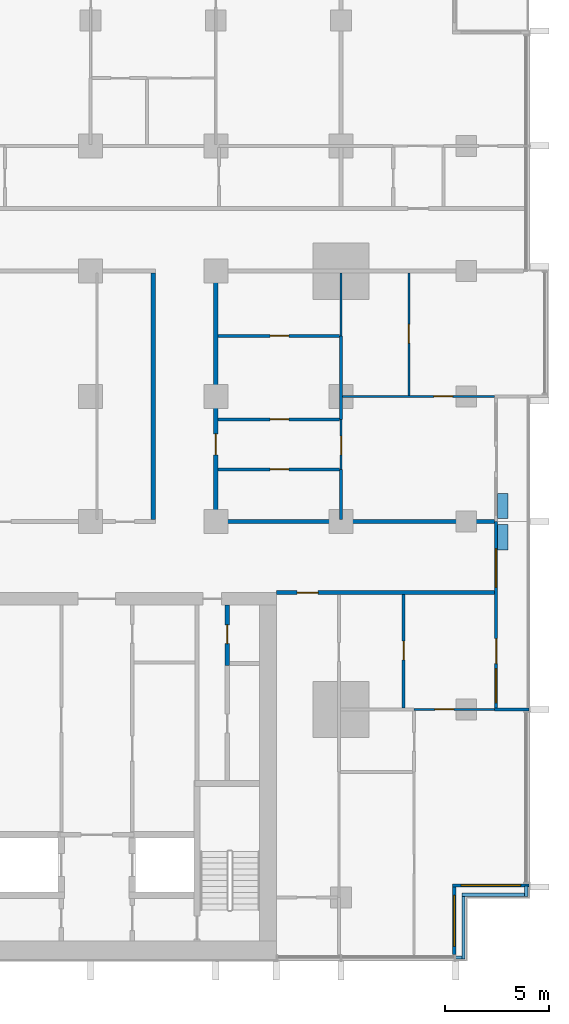
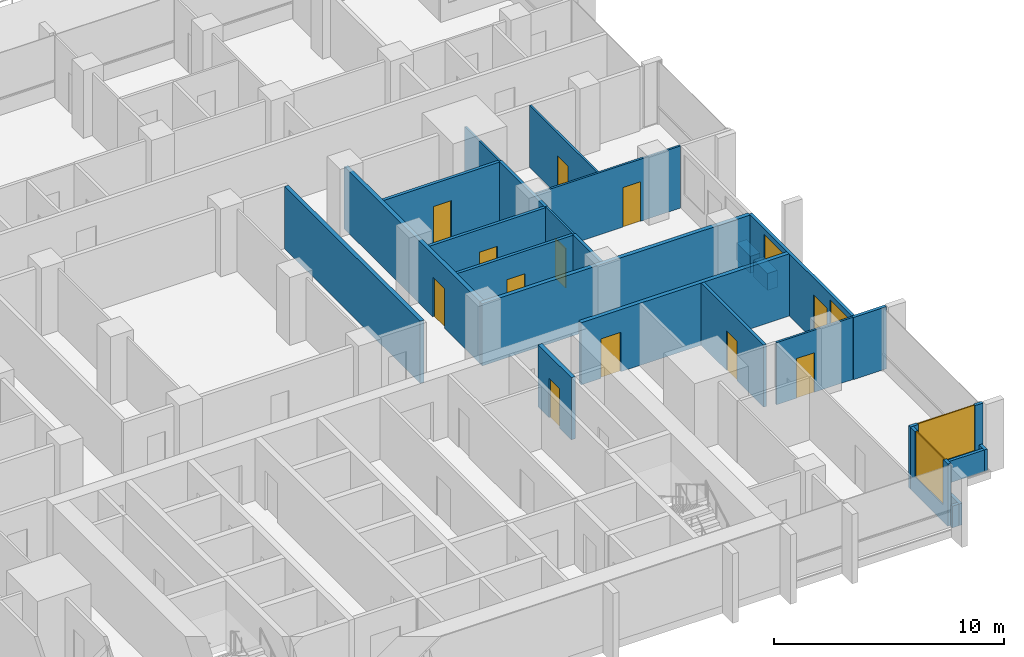
# One storey, part 10 of 19: 26 walls, 12 doors, 4 windows, 16 openings.
"""IFC4 building model written with IfcOpenShell, lengths in metres."""

from ifc_helpers import new_model, si_unit, direction, frame, frame_2d, origin, place, context, subcontext, project, spatial, rectangle, extrude, material, layer, layer_set, type_object, element, fill, save


model = new_model("IFC4")

# Units and contexts
model_context = context("Model", 3, precision=1e-05, world=origin(), true_north=direction((0.0, 1.0)))
body_context = subcontext(model_context, "Body", "Model", "MODEL_VIEW")
ifc_project = project(units=[si_unit("LENGTHUNIT", "METRE"), si_unit("AREAUNIT", "SQUARE_METRE"), si_unit("VOLUMEUNIT", "CUBIC_METRE"), si_unit("PLANEANGLEUNIT", "RADIAN"), si_unit("MASSUNIT", "GRAM", prefix="KILO")], contexts=[model_context])

# Site, building, storey
site_placement = place(None, origin())
site = spatial("IfcSite", under=ifc_project, at=site_placement, CompositionType="ELEMENT")
building_placement = place(site_placement, origin())
building = spatial("IfcBuilding", under=site, at=building_placement, Name="Finial Court Residences", CompositionType="ELEMENT")
storey_placement = place(building_placement, frame((0.0, 0.0, 81.10009765625)))
storey = spatial("IfcBuildingStorey", under=building, at=storey_placement, Name="L19", CompositionType="ELEMENT", Elevation=81.10009765625)

# Wall, opening, door
ifc_material_1 = material(Name="Gypsum board")
ifc_layer_1 = layer(ifc_material_1, 0.02490234375)
ifc_material_2 = material(Name="Acoustic mineral wool in double frame")
ifc_layer_2 = layer(ifc_material_2, 0.14990234375)
ifc_layer_3 = layer(ifc_material_1, 0.02490234375)
ifc_layer_set_1 = layer_set([ifc_layer_1, ifc_layer_2, ifc_layer_3], Name="Corridor wall 200, 1 hour")
wall_type_1 = type_object("IfcWallType", Name="Corridor wall 200, 1 hour", PredefinedType="PARTITIONING", material=ifc_layer_set_1)
wall_1_placement = place(storey_placement, frame((13.39990234375, -7.89990234375, 0.0), z_axis=(0.0, 0.0, 1.0), x_axis=(1.0, 0.0, 0.0)))
wall_1 = element("IfcWall", 1, at=wall_1_placement, inside=storey, type_object=wall_type_1, Name="Partition L19-010", PredefinedType="PARTITIONING", context=body_context, shape_type="SweptSolid", body=[
    extrude(rectangle(XDim=10.4501953125, YDim=0.199951171875, at=frame_2d((5.22509765625, 0.0))), origin(), (0.0, 0.0, 1.0), 3.2998046875),
])
opening_1_placement = place(wall_1_placement, frame((1.0, 0.0, 0.0)))
opening_1 = element("IfcOpeningElement", 2, at=opening_1_placement, cuts=wall_1, Name="Opening L19-D006", PredefinedType="OPENING", context=body_context, shape_type="SweptSolid", body=[
    extrude(rectangle(XDim=1.0, YDim=2.10009765625, at=frame_2d((0.5, 1.050048828125))), frame((0.0, 0.10986328125, 0.0), z_axis=(0.0, -1.0, 0.0), x_axis=(1.0, 0.0, 0.0)), (0.0, 0.0, 1.0), 0.219970703125),
])
ifc_material_3 = material(Name="Timber door leaf in hollow metal frame", Category="wood")
door_type_1 = type_object("IfcDoorType", Name="Fire door set 1000 x 2100, 30 minutes", OperationType="SINGLE_SWING_LEFT", PredefinedType="DOOR", material=ifc_material_3)
door_1_placement = place(opening_1_placement, origin())
door_1 = element("IfcDoor", 3, at=door_1_placement, inside=storey, type_object=door_type_1, Name="Door L19-D006", OperationType="SINGLE_SWING_LEFT", OverallHeight=2.10009765625, OverallWidth=1.0, PredefinedType="DOOR", context=body_context, shape_type="SweptSolid", body=[
    extrude(rectangle(XDim=1.0, YDim=2.10009765625, at=frame_2d((0.5, 1.050048828125))), frame((0.0, 0.02490234375, 0.0), z_axis=(0.0, -1.0, 0.0), x_axis=(1.0, 0.0, 0.0)), (0.0, 0.0, 1.0), 0.050048828125),
])
fill(opening_1, door_1)

# Walls
wall_2_placement = place(storey_placement, frame((10.39990234375, -4.5, 0.0), z_axis=(0.0, 0.0, 1.0), x_axis=(1.0, 0.0, 0.0)))
element("IfcWall", 4, at=wall_2_placement, inside=storey, type_object=wall_type_1, Name="Partition L19-013", PredefinedType="PARTITIONING", context=body_context, shape_type="SweptSolid", body=[
    extrude(rectangle(XDim=13.4501953125, YDim=0.199951171875, at=frame_2d((6.72509765625, 0.0))), origin(), (0.0, 0.0, 1.0), 3.2998046875),
])
wall_3_placement = place(storey_placement, frame((7.5, -4.39990234375, 0.0), z_axis=(0.0, 0.0, 1.0), x_axis=(0.0, 1.0, 0.0)))
element("IfcWall", 5, at=wall_3_placement, inside=storey, type_object=wall_type_1, Name="Partition L19-068", PredefinedType="PARTITIONING", context=body_context, shape_type="SweptSolid", body=[
    extrude(rectangle(XDim=11.7998046875, YDim=0.199951171875, at=frame_2d((5.89990234375, 0.0))), origin(), (0.0, 0.0, 1.0), 3.2998046875),
])

# Wall, opening, door
wall_4_placement = place(storey_placement, frame((10.5, -4.39990234375, 0.0), z_axis=(0.0, 0.0, 1.0), x_axis=(0.0, 1.0, 0.0)))
wall_4 = element("IfcWall", 6, at=wall_4_placement, inside=storey, type_object=wall_type_1, Name="Partition L19-069", PredefinedType="PARTITIONING", context=body_context, shape_type="SweptSolid", body=[
    extrude(rectangle(XDim=11.7998046875, YDim=0.199951171875, at=frame_2d((5.89990234375, 0.0))), origin(), (0.0, 0.0, 1.0), 3.2998046875),
])
opening_2_placement = place(wall_4_placement, frame((3.10009765625, 0.0, 0.0)))
opening_2 = element("IfcOpeningElement", 7, at=opening_2_placement, cuts=wall_4, Name="Opening L19-D044", PredefinedType="OPENING", context=body_context, shape_type="SweptSolid", body=[
    extrude(rectangle(XDim=1.0, YDim=2.10009765625, at=frame_2d((0.5, 1.050048828125))), frame((0.0, 0.10986328125, 0.0), z_axis=(0.0, -1.0, 0.0), x_axis=(1.0, 0.0, 0.0)), (0.0, 0.0, 1.0), 0.219970703125),
])
door_2_placement = place(opening_2_placement, origin())
door_2 = element("IfcDoor", 8, at=door_2_placement, inside=storey, type_object=door_type_1, Name="Door L19-D044", OperationType="SINGLE_SWING_LEFT", OverallHeight=2.10009765625, OverallWidth=1.0, PredefinedType="DOOR", context=body_context, shape_type="SweptSolid", body=[
    extrude(rectangle(XDim=1.0, YDim=2.10009765625, at=frame_2d((0.5, 1.050048828125))), frame((0.0, 0.02490234375, 0.0), z_axis=(0.0, -1.0, 0.0), x_axis=(1.0, 0.0, 0.0)), (0.0, 0.0, 1.0), 0.050048828125),
])
fill(opening_2, door_2)

ifc_layer_4 = layer(ifc_material_1, 0.012451171875)
ifc_material_4 = material(Name="Mineral wool in light-gauge frame")
ifc_layer_5 = layer(ifc_material_4, 0.074951171875)
ifc_layer_6 = layer(ifc_material_1, 0.012451171875)
ifc_layer_set_2 = layer_set([ifc_layer_4, ifc_layer_5, ifc_layer_6], Name="Gypsum board partition 100")
wall_type_2 = type_object("IfcWallType", Name="Gypsum board partition 100", PredefinedType="PARTITIONING", material=ifc_layer_set_2)
wall_5_placement = place(storey_placement, frame((20.0, -13.5, 0.0), z_axis=(0.0, 0.0, 1.0), x_axis=(1.0, 0.0, 0.0)))
wall_5 = element("IfcWall", 9, at=wall_5_placement, inside=storey, type_object=wall_type_2, Name="Partition L19-006", PredefinedType="PARTITIONING", context=body_context, shape_type="SweptSolid", body=[
    extrude(rectangle(XDim=3.85009765625, YDim=0.10009765625, at=frame_2d((1.925048828125, 0.0))), origin(), (0.0, 0.0, 1.0), 3.2998046875),
])
opening_3_placement = place(wall_5_placement, frame((1.0, 0.0, 0.0)))
opening_3 = element("IfcOpeningElement", 10, at=opening_3_placement, cuts=wall_5, Name="Opening L19-D004", PredefinedType="OPENING", context=body_context, shape_type="SweptSolid", body=[
    extrude(rectangle(XDim=0.89990234375, YDim=2.10009765625, at=frame_2d((0.449951171875, 1.050048828125))), frame((0.0, 0.06005859375, 0.0), z_axis=(0.0, -1.0, 0.0), x_axis=(1.0, 0.0, 0.0)), (0.0, 0.0, 1.0), 0.1201171875),
])
ifc_material_5 = material(Name="Timber door leaf in timber frame", Category="wood")
door_type_2 = type_object("IfcDoorType", Name="Door set 900 x 2100", OperationType="SINGLE_SWING_LEFT", PredefinedType="DOOR", material=ifc_material_5)
door_3_placement = place(opening_3_placement, origin())
door_3 = element("IfcDoor", 11, at=door_3_placement, inside=storey, type_object=door_type_2, Name="Door L19-D004", OperationType="SINGLE_SWING_LEFT", OverallHeight=2.10009765625, OverallWidth=0.89990234375, PredefinedType="DOOR", context=body_context, shape_type="SweptSolid", body=[
    extrude(rectangle(XDim=0.89990234375, YDim=2.10009765625, at=frame_2d((0.449951171875, 1.050048828125))), frame((0.0, 0.02490234375, 0.0), z_axis=(0.0, -1.0, 0.0), x_axis=(1.0, 0.0, 0.0)), (0.0, 0.0, 1.0), 0.050048828125),
])
fill(opening_3, door_3)

wall_6_placement = place(storey_placement, frame((16.574951171875, 1.5, 0.0), z_axis=(0.0, 0.0, 1.0), x_axis=(1.0, 0.0, 0.0)))
wall_6 = element("IfcWall", 12, at=wall_6_placement, inside=storey, type_object=wall_type_2, Name="Partition L19-018", PredefinedType="PARTITIONING", context=body_context, shape_type="SweptSolid", body=[
    extrude(rectangle(XDim=7.275146484375, YDim=0.10009765625, at=frame_2d((3.6376953125, 0.0))), origin(), (0.0, 0.0, 1.0), 3.2998046875),
])
opening_4_placement = place(wall_6_placement, frame((4.375, 0.0, 0.0)))
opening_4 = element("IfcOpeningElement", 13, at=opening_4_placement, cuts=wall_6, Name="Opening L19-D014", PredefinedType="OPENING", context=body_context, shape_type="SweptSolid", body=[
    extrude(rectangle(XDim=0.89990234375, YDim=2.10009765625, at=frame_2d((0.449951171875, 1.050048828125))), frame((0.0, 0.06005859375, 0.0), z_axis=(0.0, -1.0, 0.0), x_axis=(1.0, 0.0, 0.0)), (0.0, 0.0, 1.0), 0.1201171875),
])
door_4_placement = place(opening_4_placement, origin())
door_4 = element("IfcDoor", 14, at=door_4_placement, inside=storey, type_object=door_type_2, Name="Door L19-D014", OperationType="SINGLE_SWING_LEFT", OverallHeight=2.10009765625, OverallWidth=0.89990234375, PredefinedType="DOOR", context=body_context, shape_type="SweptSolid", body=[
    extrude(rectangle(XDim=0.89990234375, YDim=2.10009765625, at=frame_2d((0.449951171875, 1.050048828125))), frame((0.0, 0.02490234375, 0.0), z_axis=(0.0, -1.0, 0.0), x_axis=(1.0, 0.0, 0.0)), (0.0, 0.0, 1.0), 0.050048828125),
])
fill(opening_4, door_4)

wall_7_placement = place(storey_placement, frame((16.5, -2.0, 0.0), z_axis=(0.0, 0.0, 1.0), x_axis=(0.0, 1.0, 0.0)))
wall_7 = element("IfcWall", 15, at=wall_7_placement, inside=storey, type_object=wall_type_2, Name="Partition L19-075", PredefinedType="PARTITIONING", context=body_context, shape_type="SweptSolid", body=[
    extrude(rectangle(XDim=2.39990234375, YDim=0.10009765625, at=frame_2d((1.199951171875, 0.0))), origin(), (0.0, 0.0, 1.0), 3.2998046875),
])
opening_5_placement = place(wall_7_placement, frame((0.699951171875, 0.0, 0.0)))
opening_5 = element("IfcOpeningElement", 16, at=opening_5_placement, cuts=wall_7, Name="Opening L19-D048", PredefinedType="OPENING", context=body_context, shape_type="SweptSolid", body=[
    extrude(rectangle(XDim=0.89990234375, YDim=2.10009765625, at=frame_2d((0.449951171875, 1.050048828125))), frame((0.0, 0.06005859375, 0.0), z_axis=(0.0, -1.0, 0.0), x_axis=(1.0, 0.0, 0.0)), (0.0, 0.0, 1.0), 0.1201171875),
])
door_5_placement = place(opening_5_placement, origin())
door_5 = element("IfcDoor", 17, at=door_5_placement, inside=storey, type_object=door_type_2, Name="Door L19-D048", OperationType="SINGLE_SWING_RIGHT", OverallHeight=2.10009765625, OverallWidth=0.89990234375, PredefinedType="DOOR", context=body_context, shape_type="SweptSolid", body=[
    extrude(rectangle(XDim=0.89990234375, YDim=2.10009765625, at=frame_2d((0.449951171875, 1.050048828125))), frame((0.0, 0.02490234375, 0.0), z_axis=(0.0, -1.0, 0.0), x_axis=(1.0, 0.0, 0.0)), (0.0, 0.0, 1.0), 0.050048828125),
])
fill(opening_5, door_5)

# Wall
wall_8_placement = place(storey_placement, frame((16.5, 4.39990234375, 0.0), z_axis=(0.0, 0.0, 1.0), x_axis=(0.0, 1.0, 0.0)))
element("IfcWall", 18, at=wall_8_placement, inside=storey, type_object=wall_type_2, Name="Partition L19-076", PredefinedType="PARTITIONING", context=body_context, shape_type="SweptSolid", body=[
    extrude(rectangle(XDim=3.0, YDim=0.10009765625, at=frame_2d((1.5, 0.0))), origin(), (0.0, 0.0, 1.0), 3.2998046875),
])

# Wall, opening, door
wall_9_placement = place(storey_placement, frame((19.75, 1.550048828125, 0.0), z_axis=(0.0, 0.0, 1.0), x_axis=(0.0, 1.0, 0.0)))
wall_9 = element("IfcWall", 19, at=wall_9_placement, inside=storey, type_object=wall_type_2, Name="Partition L19-083", PredefinedType="PARTITIONING", context=body_context, shape_type="SweptSolid", body=[
    extrude(rectangle(XDim=5.849853515625, YDim=0.10009765625, at=frame_2d((2.9248046875, 0.0))), origin(), (0.0, 0.0, 1.0), 3.2998046875),
])
opening_6_placement = place(wall_9_placement, frame((2.5, 0.0, 0.0)))
opening_6 = element("IfcOpeningElement", 20, at=opening_6_placement, cuts=wall_9, Name="Opening L19-D051", PredefinedType="OPENING", context=body_context, shape_type="SweptSolid", body=[
    extrude(rectangle(XDim=0.89990234375, YDim=2.10009765625, at=frame_2d((0.449951171875, 1.050048828125))), frame((0.0, 0.06005859375, 0.0), z_axis=(0.0, -1.0, 0.0), x_axis=(1.0, 0.0, 0.0)), (0.0, 0.0, 1.0), 0.1201171875),
])
door_6_placement = place(opening_6_placement, origin())
door_6 = element("IfcDoor", 21, at=door_6_placement, inside=storey, type_object=door_type_2, Name="Door L19-D051", OperationType="SINGLE_SWING_RIGHT", OverallHeight=2.10009765625, OverallWidth=0.89990234375, PredefinedType="DOOR", context=body_context, shape_type="SweptSolid", body=[
    extrude(rectangle(XDim=0.89990234375, YDim=2.10009765625, at=frame_2d((0.449951171875, 1.050048828125))), frame((0.0, 0.02490234375, 0.0), z_axis=(0.0, -1.0, 0.0), x_axis=(1.0, 0.0, 0.0)), (0.0, 0.0, 1.0), 0.050048828125),
])
fill(opening_6, door_6)

ifc_material_6 = material(Name="Moisture-resistant gypsum board")
ifc_layer_7 = layer(ifc_material_6, 0.012451171875)
ifc_layer_8 = layer(ifc_material_4, 0.125)
ifc_layer_9 = layer(ifc_material_6, 0.012451171875)
ifc_layer_set_3 = layer_set([ifc_layer_7, ifc_layer_8, ifc_layer_9], Name="Gypsum board wet-area partition 150")
wall_type_3 = type_object("IfcWallType", Name="Gypsum board wet-area partition 150", PredefinedType="PARTITIONING", material=ifc_layer_set_3)
wall_10_placement = place(storey_placement, frame((10.60009765625, -2.0, 0.0), z_axis=(0.0, 0.0, 1.0), x_axis=(1.0, 0.0, 0.0)))
wall_10 = element("IfcWall", 22, at=wall_10_placement, inside=storey, type_object=wall_type_3, Name="Partition L19-015", PredefinedType="PARTITIONING", context=body_context, shape_type="SweptSolid", body=[
    extrude(rectangle(XDim=5.824951171875, YDim=0.14990234375, at=frame_2d((2.91259765625, 0.0))), origin(), (0.0, 0.0, 1.0), 3.2998046875),
])
opening_7_placement = place(wall_10_placement, frame((2.5, 0.0, 0.0)))
opening_7 = element("IfcOpeningElement", 23, at=opening_7_placement, cuts=wall_10, Name="Opening L19-D011", PredefinedType="OPENING", context=body_context, shape_type="SweptSolid", body=[
    extrude(rectangle(XDim=0.89990234375, YDim=2.10009765625, at=frame_2d((0.449951171875, 1.050048828125))), frame((0.0, 0.0849609375, 0.0), z_axis=(0.0, -1.0, 0.0), x_axis=(1.0, 0.0, 0.0)), (0.0, 0.0, 1.0), 0.169921875),
])
door_7_placement = place(opening_7_placement, origin())
door_7 = element("IfcDoor", 24, at=door_7_placement, inside=storey, type_object=door_type_2, Name="Door L19-D011", OperationType="SINGLE_SWING_LEFT", OverallHeight=2.10009765625, OverallWidth=0.89990234375, PredefinedType="DOOR", context=body_context, shape_type="SweptSolid", body=[
    extrude(rectangle(XDim=0.89990234375, YDim=2.10009765625, at=frame_2d((0.449951171875, 1.050048828125))), frame((0.0, 0.02490234375, 0.0), z_axis=(0.0, -1.0, 0.0), x_axis=(1.0, 0.0, 0.0)), (0.0, 0.0, 1.0), 0.050048828125),
])
fill(opening_7, door_7)

wall_11_placement = place(storey_placement, frame((10.60009765625, 0.39990234375, 0.0), z_axis=(0.0, 0.0, 1.0), x_axis=(1.0, 0.0, 0.0)))
wall_11 = element("IfcWall", 25, at=wall_11_placement, inside=storey, type_object=wall_type_3, Name="Partition L19-016", PredefinedType="PARTITIONING", context=body_context, shape_type="SweptSolid", body=[
    extrude(rectangle(XDim=5.824951171875, YDim=0.14990234375, at=frame_2d((2.91259765625, 0.0))), origin(), (0.0, 0.0, 1.0), 3.2998046875),
])
opening_8_placement = place(wall_11_placement, frame((2.5, 0.0, 0.0)))
opening_8 = element("IfcOpeningElement", 26, at=opening_8_placement, cuts=wall_11, Name="Opening L19-D012", PredefinedType="OPENING", context=body_context, shape_type="SweptSolid", body=[
    extrude(rectangle(XDim=0.89990234375, YDim=2.10009765625, at=frame_2d((0.449951171875, 1.050048828125))), frame((0.0, 0.0849609375, 0.0), z_axis=(0.0, -1.0, 0.0), x_axis=(1.0, 0.0, 0.0)), (0.0, 0.0, 1.0), 0.169921875),
])
door_8_placement = place(opening_8_placement, origin())
door_8 = element("IfcDoor", 27, at=door_8_placement, inside=storey, type_object=door_type_2, Name="Door L19-D012", OperationType="SINGLE_SWING_LEFT", OverallHeight=2.10009765625, OverallWidth=0.89990234375, PredefinedType="DOOR", context=body_context, shape_type="SweptSolid", body=[
    extrude(rectangle(XDim=0.89990234375, YDim=2.10009765625, at=frame_2d((0.449951171875, 1.050048828125))), frame((0.0, 0.02490234375, 0.0), z_axis=(0.0, -1.0, 0.0), x_axis=(1.0, 0.0, 0.0)), (0.0, 0.0, 1.0), 0.050048828125),
])
fill(opening_8, door_8)

wall_12_placement = place(storey_placement, frame((10.60009765625, 4.39990234375, 0.0), z_axis=(0.0, 0.0, 1.0), x_axis=(1.0, 0.0, 0.0)))
wall_12 = element("IfcWall", 28, at=wall_12_placement, inside=storey, type_object=wall_type_3, Name="Partition L19-021", PredefinedType="PARTITIONING", context=body_context, shape_type="SweptSolid", body=[
    extrude(rectangle(XDim=5.824951171875, YDim=0.14990234375, at=frame_2d((2.91259765625, 0.0))), origin(), (0.0, 0.0, 1.0), 3.2998046875),
])
opening_9_placement = place(wall_12_placement, frame((2.5, 0.0, 0.0)))
opening_9 = element("IfcOpeningElement", 29, at=opening_9_placement, cuts=wall_12, Name="Opening L19-D017", PredefinedType="OPENING", context=body_context, shape_type="SweptSolid", body=[
    extrude(rectangle(XDim=0.89990234375, YDim=2.10009765625, at=frame_2d((0.449951171875, 1.050048828125))), frame((0.0, 0.0849609375, 0.0), z_axis=(0.0, -1.0, 0.0), x_axis=(1.0, 0.0, 0.0)), (0.0, 0.0, 1.0), 0.169921875),
])
door_9_placement = place(opening_9_placement, origin())
door_9 = element("IfcDoor", 30, at=door_9_placement, inside=storey, type_object=door_type_2, Name="Door L19-D017", OperationType="SINGLE_SWING_RIGHT", OverallHeight=2.10009765625, OverallWidth=0.89990234375, PredefinedType="DOOR", context=body_context, shape_type="SweptSolid", body=[
    extrude(rectangle(XDim=0.89990234375, YDim=2.10009765625, at=frame_2d((0.449951171875, 1.050048828125))), frame((0.0, 0.02490234375, 0.0), z_axis=(0.0, -1.0, 0.0), x_axis=(1.0, 0.0, 0.0)), (0.0, 0.0, 1.0), 0.050048828125),
])
fill(opening_9, door_9)

# Walls
wall_13_placement = place(storey_placement, frame((16.5, -4.39990234375, 0.0), z_axis=(0.0, 0.0, 1.0), x_axis=(0.0, 1.0, 0.0)))
element("IfcWall", 31, at=wall_13_placement, inside=storey, type_object=wall_type_3, Name="Partition L19-079", PredefinedType="PARTITIONING", context=body_context, shape_type="SweptSolid", body=[
    extrude(rectangle(XDim=2.39990234375, YDim=0.14990234375, at=frame_2d((1.199951171875, 0.0))), origin(), (0.0, 0.0, 1.0), 3.2998046875),
])
wall_14_placement = place(storey_placement, frame((16.5, 0.39990234375, 0.0), z_axis=(0.0, 0.0, 1.0), x_axis=(0.0, 1.0, 0.0)))
element("IfcWall", 32, at=wall_14_placement, inside=storey, type_object=wall_type_3, Name="Partition L19-080", PredefinedType="PARTITIONING", context=body_context, shape_type="SweptSolid", body=[
    extrude(rectangle(XDim=4.0, YDim=0.14990234375, at=frame_2d((2.0, 0.0))), origin(), (0.0, 0.0, 1.0), 3.2998046875),
])

# Wall, opening, door
wall_15_placement = place(storey_placement, frame((19.5, -13.425048828125, 0.0), z_axis=(0.0, 0.0, 1.0), x_axis=(0.0, 1.0, 0.0)))
wall_15 = element("IfcWall", 33, at=wall_15_placement, inside=storey, type_object=wall_type_3, Name="Partition L19-082", PredefinedType="PARTITIONING", context=body_context, shape_type="SweptSolid", body=[
    extrude(rectangle(XDim=5.425048828125, YDim=0.14990234375, at=frame_2d((2.71240234375, 0.0))), origin(), (0.0, 0.0, 1.0), 3.2998046875),
])
opening_10_placement = place(wall_15_placement, frame((2.300048828125, 0.0, 0.0)))
opening_10 = element("IfcOpeningElement", 34, at=opening_10_placement, cuts=wall_15, Name="Opening L19-D050", PredefinedType="OPENING", context=body_context, shape_type="SweptSolid", body=[
    extrude(rectangle(XDim=0.89990234375, YDim=2.10009765625, at=frame_2d((0.449951171875, 1.050048828125))), frame((0.0, 0.0849609375, 0.0), z_axis=(0.0, -1.0, 0.0), x_axis=(1.0, 0.0, 0.0)), (0.0, 0.0, 1.0), 0.169921875),
])
door_10_placement = place(opening_10_placement, origin())
door_10 = element("IfcDoor", 35, at=door_10_placement, inside=storey, type_object=door_type_2, Name="Door L19-D050", OperationType="SINGLE_SWING_LEFT", OverallHeight=2.10009765625, OverallWidth=0.89990234375, PredefinedType="DOOR", context=body_context, shape_type="SweptSolid", body=[
    extrude(rectangle(XDim=0.89990234375, YDim=2.10009765625, at=frame_2d((0.449951171875, 1.050048828125))), frame((0.0, 0.02490234375, 0.0), z_axis=(0.0, -1.0, 0.0), x_axis=(1.0, 0.0, 0.0)), (0.0, 0.0, 1.0), 0.050048828125),
])
fill(opening_10, door_10)

# Walls
ifc_material_7 = material(Name="Concrete C35/45", Category="concrete")
ifc_layer_10 = layer(ifc_material_7, 0.14990234375)
ifc_layer_set_4 = layer_set([ifc_layer_10], Name="Ledge parapet, Concrete C35/45 150")
wall_type_4 = type_object("IfcWallType", Name="Ledge parapet, Concrete C35/45 150", PredefinedType="PARAPET", material=ifc_layer_set_4)
wall_16_placement = place(storey_placement, frame((25.375, -21.9599609375, 0.0), z_axis=(0.0, 0.0, 1.0), x_axis=(0.0, -1.0, 0.0)))
element("IfcWall", 36, at=wall_16_placement, inside=storey, type_object=wall_type_4, Name="E-L19-LED1-P1", PredefinedType="PARAPET", context=body_context, shape_type="SweptSolid", body=[
    extrude(rectangle(XDim=0.489990234375, YDim=0.14990234375, at=frame_2d((0.2451171875, 0.0))), origin(), (0.0, 0.0, 1.0), 1.14990234375),
])
for number, where, z_axis, x_axis, name in (
    (37, (25.300048828125, -22.375, 0.0), (0.0, 0.0, 1.0), (-1.0, 0.0, 0.0), "E-L19-LED1-P2"),
    (38, (22.375, -22.449951171875, 0.0), (0.0, 0.0, 1.0), (0.0, -1.0, 0.0), "E-L19-LED1-P3"),
):
    element("IfcWall", number, at=place(storey_placement, frame(where, z_axis=z_axis, x_axis=x_axis)), inside=storey, type_object=wall_type_4, Name=name, PredefinedType="PARAPET", context=body_context, shape_type="SweptSolid", body=[
        extrude(rectangle(XDim=3.0, YDim=0.14990234375, at=frame_2d((1.5, 0.0))), origin(), (0.0, 0.0, 1.0), 1.14990234375),
    ])
wall_17_placement = place(storey_placement, frame((22.300048828125, -25.375, 0.0), z_axis=(0.0, 0.0, 1.0), x_axis=(-1.0, 0.0, 0.0)))
element("IfcWall", 39, at=wall_17_placement, inside=storey, type_object=wall_type_4, Name="E-L19-LED1-P4", PredefinedType="PARAPET", context=body_context, shape_type="SweptSolid", body=[
    extrude(rectangle(XDim=0.340087890625, YDim=0.14990234375, at=frame_2d((0.169921875, 0.0))), origin(), (0.0, 0.0, 1.0), 1.14990234375),
])

# Wall, opening, window
ifc_material_8 = material(Name="Natural limestone", Category="masonry")
ifc_layer_11 = layer(ifc_material_8, 0.14990234375)
ifc_layer_set_5 = layer_set([ifc_layer_11], Name="Limestone clad wall 150")
wall_type_5 = type_object("IfcWallType", Name="Limestone clad wall 150", PredefinedType="SOLIDWALL", material=ifc_layer_set_5)
wall_18_placement = place(storey_placement, frame((21.925048828125, -22.0, 0.0), z_axis=(0.0, 0.0, 1.0), x_axis=(0.0, -1.0, 0.0)))
wall_18 = element("IfcWall", 40, at=wall_18_placement, inside=storey, type_object=wall_type_5, Name="E-L19-NWE13", PredefinedType="SOLIDWALL", context=body_context, shape_type="SweptSolid", body=[
    extrude(rectangle(XDim=3.25, YDim=0.14990234375, at=frame_2d((1.625, 0.0))), origin(), (0.0, 0.0, 1.0), 3.2998046875),
])
opening_11_placement = place(wall_18_placement, frame((0.39990234375, 0.0, 0.89990234375)))
opening_11 = element("IfcOpeningElement", 41, at=opening_11_placement, cuts=wall_18, Name="Opening WE19-03", PredefinedType="OPENING", context=body_context, shape_type="SweptSolid", body=[
    extrude(rectangle(XDim=2.449951171875, YDim=2.39990234375, at=frame_2d((1.22509765625, 1.199951171875))), frame((0.0, 0.0849609375, 0.0), z_axis=(0.0, -1.0, 0.0), x_axis=(1.0, 0.0, 0.0)), (0.0, 0.0, 1.0), 0.169921875),
])
ifc_material_9 = material(Name="Clear low-e glass", Category="glass")
window_type_1 = type_object("IfcWindowType", Name="Corner window 2450 x 2400", PartitioningType="SINGLE_PANEL", PredefinedType="WINDOW", material=ifc_material_9)
window_1_placement = place(opening_11_placement, origin())
window_1 = element("IfcWindow", 42, at=window_1_placement, inside=storey, type_object=window_type_1, Name="E-L19-NWE13-W1", OverallHeight=2.39990234375, OverallWidth=2.449951171875, PartitioningType="SINGLE_PANEL", PredefinedType="WINDOW", context=body_context, shape_type="SweptSolid", body=[
    extrude(rectangle(XDim=2.449951171875, YDim=2.39990234375, at=frame_2d((1.22509765625, 1.199951171875))), frame((0.0, 0.030029296875, 0.0), z_axis=(0.0, -1.0, 0.0), x_axis=(1.0, 0.0, 0.0)), (0.0, 0.0, 1.0), 0.06005859375),
])
fill(opening_11, window_1)

wall_19_placement = place(storey_placement, frame((25.5, -21.925048828125, 0.0), z_axis=(0.0, 0.0, 1.0), x_axis=(-1.0, 0.0, 0.0)))
wall_19 = element("IfcWall", 43, at=wall_19_placement, inside=storey, type_object=wall_type_5, Name="E-L19-NWS14", PredefinedType="SOLIDWALL", context=body_context, shape_type="SweptSolid", body=[
    extrude(rectangle(XDim=3.64990234375, YDim=0.14990234375, at=frame_2d((1.824951171875, 0.0))), origin(), (0.0, 0.0, 1.0), 3.2998046875),
])
opening_12_placement = place(wall_19_placement, frame((0.39990234375, 0.0, 0.89990234375)))
opening_12 = element("IfcOpeningElement", 44, at=opening_12_placement, cuts=wall_19, Name="Opening WE19-04", PredefinedType="OPENING", context=body_context, shape_type="SweptSolid", body=[
    extrude(rectangle(XDim=2.85009765625, YDim=2.39990234375, at=frame_2d((1.425048828125, 1.199951171875))), frame((0.0, 0.0849609375, 0.0), z_axis=(0.0, -1.0, 0.0), x_axis=(1.0, 0.0, 0.0)), (0.0, 0.0, 1.0), 0.169921875),
])
window_type_2 = type_object("IfcWindowType", Name="Corner window 2850 x 2400", PartitioningType="SINGLE_PANEL", PredefinedType="WINDOW", material=ifc_material_9)
window_2_placement = place(opening_12_placement, origin())
window_2 = element("IfcWindow", 45, at=window_2_placement, inside=storey, type_object=window_type_2, Name="E-L19-NWS14-W1", OverallHeight=2.39990234375, OverallWidth=2.85009765625, PartitioningType="SINGLE_PANEL", PredefinedType="WINDOW", context=body_context, shape_type="SweptSolid", body=[
    extrude(rectangle(XDim=2.85009765625, YDim=2.39990234375, at=frame_2d((1.425048828125, 1.199951171875))), frame((0.0, 0.030029296875, 0.0), z_axis=(0.0, -1.0, 0.0), x_axis=(1.0, 0.0, 0.0)), (0.0, 0.0, 1.0), 0.06005859375),
])
fill(opening_12, window_2)

# Wall
wall_20_placement = place(storey_placement, frame((23.85009765625, -13.5, 0.0), z_axis=(0.0, 0.0, 1.0), x_axis=(1.0, 0.0, 0.0)))
element("IfcWall", 46, at=wall_20_placement, inside=storey, type_object=wall_type_5, Name="E-L19-BALE2-P1", PredefinedType="SOLIDWALL", context=body_context, shape_type="SweptSolid", body=[
    extrude(rectangle(XDim=1.64990234375, YDim=0.14990234375, at=frame_2d((0.824951171875, 0.0))), origin(), (0.0, 0.0, 1.0), 3.2998046875),
])

# Wall, openings, door, windows
wall_21_placement = place(storey_placement, frame((23.925048828125, -4.5, 0.0), z_axis=(0.0, 0.0, 1.0), x_axis=(0.0, -1.0, 0.0)))
wall_21 = element("IfcWall", 47, at=wall_21_placement, inside=storey, type_object=wall_type_5, Name="E-L19-L19-BALE2-W", PredefinedType="SOLIDWALL", context=body_context, shape_type="SweptSolid", body=[
    extrude(rectangle(XDim=8.925048828125, YDim=0.14990234375, at=frame_2d((4.46240234375, 0.0))), origin(), (0.0, 0.0, 1.0), 3.2998046875),
])
opening_13_placement = place(wall_21_placement, frame((5.60009765625, 0.0, 0.0)))
opening_13 = element("IfcOpeningElement", 48, at=opening_13_placement, cuts=wall_21, Name="Opening DE19-02", PredefinedType="OPENING", context=body_context, shape_type="SweptSolid", body=[
    extrude(rectangle(XDim=1.199951171875, YDim=2.39990234375, at=frame_2d((0.60009765625, 1.199951171875))), frame((0.0, 0.0849609375, 0.0), z_axis=(0.0, -1.0, 0.0), x_axis=(1.0, 0.0, 0.0)), (0.0, 0.0, 1.0), 0.169921875),
])
opening_14_placement = place(wall_21_placement, frame((7.050048828125, 0.0, 0.89990234375)))
opening_14 = element("IfcOpeningElement", 49, at=opening_14_placement, cuts=wall_21, Name="Opening WE19-11", PredefinedType="OPENING", context=body_context, shape_type="SweptSolid", body=[
    extrude(rectangle(XDim=1.625, YDim=2.10009765625, at=frame_2d((0.8125, 1.050048828125))), frame((0.0, 0.0849609375, 0.0), z_axis=(0.0, -1.0, 0.0), x_axis=(1.0, 0.0, 0.0)), (0.0, 0.0, 1.0), 0.169921875),
])
opening_15_placement = place(wall_21_placement, frame((1.300048828125, 0.0, 0.89990234375)))
opening_15 = element("IfcOpeningElement", 50, at=opening_15_placement, cuts=wall_21, Name="Opening WE19-12", PredefinedType="OPENING", context=body_context, shape_type="SweptSolid", body=[
    extrude(rectangle(XDim=1.85009765625, YDim=2.10009765625, at=frame_2d((0.925048828125, 1.050048828125))), frame((0.0, 0.0849609375, 0.0), z_axis=(0.0, -1.0, 0.0), x_axis=(1.0, 0.0, 0.0)), (0.0, 0.0, 1.0), 0.169921875),
])
ifc_material_10 = material(Name="Bronze anodised aluminium", Category="aluminium")
door_type_3 = type_object("IfcDoorType", Name="Balcony door 1200 x 2400", OperationType="SINGLE_SWING_LEFT", PredefinedType="DOOR", material=ifc_material_10)
door_11_placement = place(opening_13_placement, origin())
door_11 = element("IfcDoor", 51, at=door_11_placement, inside=storey, type_object=door_type_3, Name="E-L19-L19-BALE2-W-D", OperationType="SINGLE_SWING_LEFT", OverallHeight=2.39990234375, OverallWidth=1.199951171875, PredefinedType="DOOR", context=body_context, shape_type="SweptSolid", body=[
    extrude(rectangle(XDim=1.199951171875, YDim=2.39990234375, at=frame_2d((0.60009765625, 1.199951171875))), frame((0.0, 0.02490234375, 0.0), z_axis=(0.0, -1.0, 0.0), x_axis=(1.0, 0.0, 0.0)), (0.0, 0.0, 1.0), 0.050048828125),
])
fill(opening_13, door_11)
window_type_3 = type_object("IfcWindowType", Name="Balcony window 1625 x 2100", PartitioningType="SINGLE_PANEL", PredefinedType="WINDOW", material=ifc_material_9)
window_3_placement = place(opening_14_placement, origin())
window_3 = element("IfcWindow", 52, at=window_3_placement, inside=storey, type_object=window_type_3, Name="E-L19-L19-BALE2-W-W1", OverallHeight=2.10009765625, OverallWidth=1.625, PartitioningType="SINGLE_PANEL", PredefinedType="WINDOW", context=body_context, shape_type="SweptSolid", body=[
    extrude(rectangle(XDim=1.625, YDim=2.10009765625, at=frame_2d((0.8125, 1.050048828125))), frame((0.0, 0.030029296875, 0.0), z_axis=(0.0, -1.0, 0.0), x_axis=(1.0, 0.0, 0.0)), (0.0, 0.0, 1.0), 0.06005859375),
])
fill(opening_14, window_3)
window_type_4 = type_object("IfcWindowType", Name="Balcony window 1850 x 2100", PartitioningType="SINGLE_PANEL", PredefinedType="WINDOW", material=ifc_material_9)
window_4_placement = place(opening_15_placement, origin())
window_4 = element("IfcWindow", 53, at=window_4_placement, inside=storey, type_object=window_type_4, Name="E-L19-L19-BALE2-W-W2", OverallHeight=2.10009765625, OverallWidth=1.85009765625, PartitioningType="SINGLE_PANEL", PredefinedType="WINDOW", context=body_context, shape_type="SweptSolid", body=[
    extrude(rectangle(XDim=1.85009765625, YDim=2.10009765625, at=frame_2d((0.925048828125, 1.050048828125))), frame((0.0, 0.030029296875, 0.0), z_axis=(0.0, -1.0, 0.0), x_axis=(1.0, 0.0, 0.0)), (0.0, 0.0, 1.0), 0.06005859375),
])
fill(opening_15, window_4)

# Walls
ifc_material_11 = material(Name="Concrete C40/50", Category="concrete")
ifc_layer_12 = layer(ifc_material_11, 0.10009765625)
ifc_material_12 = material(Name="Planting soil", Category="soil")
ifc_layer_13 = layer(ifc_material_12, 0.300048828125)
ifc_layer_14 = layer(ifc_material_11, 0.10009765625)
ifc_layer_set_6 = layer_set([ifc_layer_12, ifc_layer_13, ifc_layer_14], Name="Planter wall, balcony")
wall_type_6 = type_object("IfcWallType", Name="Planter wall, balcony", PredefinedType="USERDEFINED", material=ifc_layer_set_6)
for number, where, z_axis, x_axis, name in (
    (54, (24.25, -5.85009765625, 0.0), (0.0, 0.0, 1.0), (0.0, 1.0, 0.0), "E-L19-BALE2-PL"),
    (55, (24.25, -4.35009765625, 0.0), (0.0, 0.0, 1.0), (0.0, 1.0, 0.0), "E-L19-BALE3-PL"),
):
    element("IfcWall", number, at=place(storey_placement, frame(where, z_axis=z_axis, x_axis=x_axis)), inside=storey, type_object=wall_type_6, Name=name, ObjectType="PLANTER", PredefinedType="USERDEFINED", context=body_context, shape_type="SweptSolid", body=[
        extrude(rectangle(XDim=1.2001953125, YDim=0.5, at=frame_2d((0.60009765625, 0.0))), origin(), (0.0, 0.0, 1.0), 0.89990234375),
    ])

# Wall, opening, door
ifc_material_13 = material(Name="Fire-rated gypsum board partition")
ifc_layer_15 = layer(ifc_material_13, 0.199951171875)
ifc_layer_set_7 = layer_set([ifc_layer_15], Name="Riser room wall 200 EI 120")
wall_type_7 = type_object("IfcWallType", Name="Riser room wall 200 EI 120", PredefinedType="PARTITIONING", material=ifc_layer_set_7)
wall_22_placement = place(storey_placement, frame((11.050048828125, -8.5, 0.0), z_axis=(0.0, 0.0, 1.0), x_axis=(0.0, -1.0, 0.0)))
wall_22 = element("IfcWall", 56, at=wall_22_placement, inside=storey, type_object=wall_type_7, Name="Core partition L19-39", PredefinedType="PARTITIONING", context=body_context, shape_type="SweptSolid", body=[
    extrude(rectangle(XDim=2.89990234375, YDim=0.199951171875, at=frame_2d((1.449951171875, 0.0))), origin(), (0.0, 0.0, 1.0), 3.2998046875),
])
opening_16_placement = place(wall_22_placement, frame((0.949951171875, 0.0, 0.0)))
opening_16 = element("IfcOpeningElement", 57, at=opening_16_placement, cuts=wall_22, Name="Opening L19-C08", PredefinedType="OPENING", context=body_context, shape_type="SweptSolid", body=[
    extrude(rectangle(XDim=0.89990234375, YDim=2.10009765625, at=frame_2d((0.449951171875, 1.050048828125))), frame((0.0, 0.10986328125, 0.0), z_axis=(0.0, -1.0, 0.0), x_axis=(1.0, 0.0, 0.0)), (0.0, 0.0, 1.0), 0.219970703125),
])
ifc_material_14 = material(Name="Steel fire door", Category="steel")
door_type_4 = type_object("IfcDoorType", Name="Riser room door 900 x 2100 EI 90", OperationType="NOTDEFINED", PredefinedType="DOOR", material=ifc_material_14)
door_12_placement = place(opening_16_placement, origin())
door_12 = element("IfcDoor", 58, at=door_12_placement, inside=storey, type_object=door_type_4, Name="Riser room door L19-C08", OperationType="SINGLE_SWING_RIGHT", OverallHeight=2.10009765625, OverallWidth=0.89990234375, PredefinedType="DOOR", context=body_context, shape_type="SweptSolid", body=[
    extrude(rectangle(XDim=0.89990234375, YDim=2.10009765625, at=frame_2d((0.449951171875, 1.050048828125))), frame((0.0, 0.02490234375, 0.0), z_axis=(0.0, -1.0, 0.0), x_axis=(1.0, 0.0, 0.0)), (0.0, 0.0, 1.0), 0.050048828125),
])
fill(opening_16, door_12)

save(model, "model.ifc")
